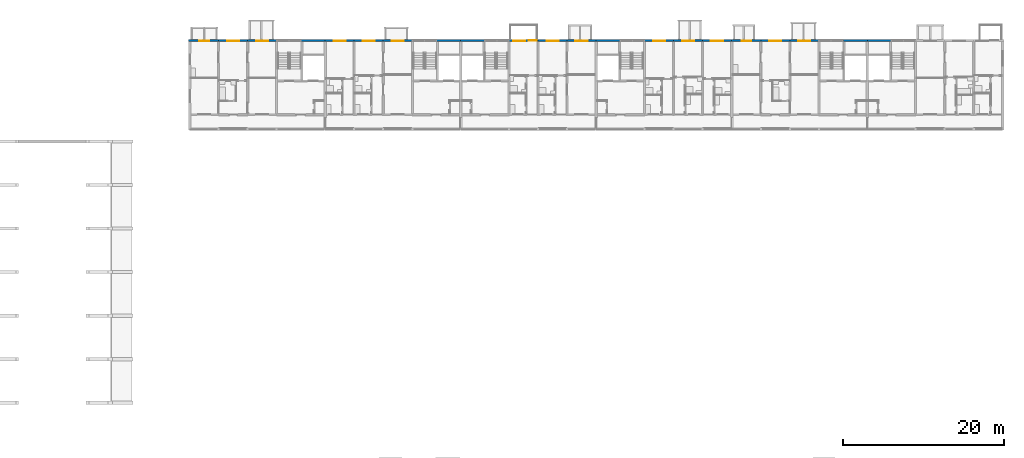
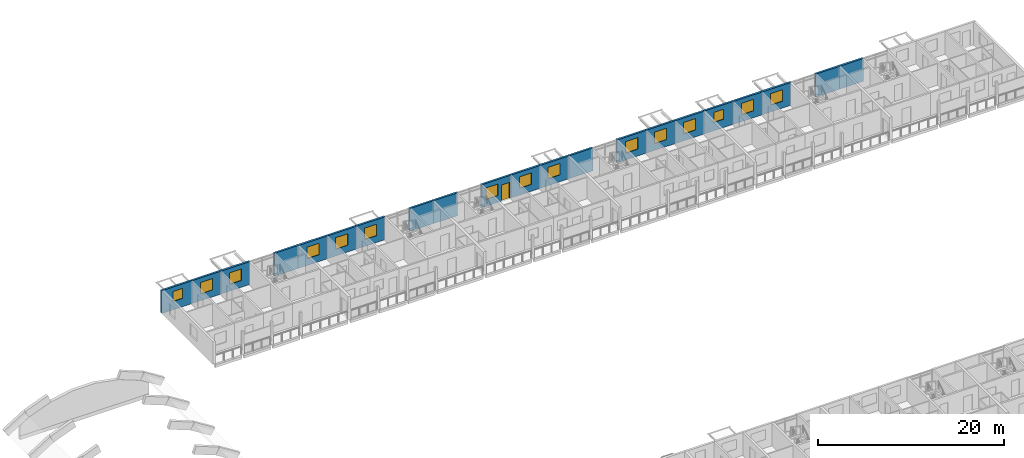
# One storey, part 58 of 99: 21 walls, 15 windows, 1 door, 16 openings.
"""IFC4 building model written with IfcOpenShell, lengths in metres."""

from ifc_helpers import new_model, si_unit, direction, frame, frame_2d, origin, place, context, subcontext, project, spatial, rectangle, extrude, material, layer, layer_set, type_object, element, fill, save


model = new_model("IFC4")

# Units and contexts
model_context = context("Model", 3, precision=1e-05, world=origin(), true_north=direction((0.0, 1.0)))
body_context = subcontext(model_context, "Body", "Model", "MODEL_VIEW")
ifc_project = project(units=[si_unit("LENGTHUNIT", "METRE"), si_unit("AREAUNIT", "SQUARE_METRE"), si_unit("VOLUMEUNIT", "CUBIC_METRE"), si_unit("PLANEANGLEUNIT", "RADIAN"), si_unit("MASSUNIT", "GRAM", prefix="KILO")], contexts=[model_context])

# Site, building, storey
site_placement = place(None, origin())
site = spatial("IfcSite", under=ifc_project, at=site_placement, CompositionType="ELEMENT")
building_placement = place(site_placement, origin())
building = spatial("IfcBuilding", under=site, at=building_placement, Name="Ridgestep Commons", CompositionType="ELEMENT")
storey_placement = place(building_placement, frame((0.0, 0.0, 15.0)))
storey = spatial("IfcBuildingStorey", under=building, at=storey_placement, Name="L05", CompositionType="ELEMENT", Elevation=15.0)

# Wall, opening, window
ifc_material_1 = material(Name="Precast concrete C40/50", Category="concrete")
ifc_layer = layer(ifc_material_1, 0.25)
ifc_layer_set = layer_set([ifc_layer], Name="North facade panel 250")
wall_type = type_object("IfcWallType", Name="North facade panel 250", PredefinedType="SOLIDWALL", material=ifc_layer_set)
wall_1_placement = place(storey_placement, frame((146.64990234375, 77.125, 0.0), z_axis=(0.0, 0.0, 1.0), x_axis=(1.0, 0.0, 0.0)))
wall_1 = element("IfcWall", 1, at=wall_1_placement, inside=storey, type_object=wall_type, Name="North panel C1T1 L05", PredefinedType="SOLIDWALL", context=body_context, shape_type="SweptSolid", body=[
    extrude(rectangle(XDim=3.75, YDim=0.25, at=frame_2d((1.875, 0.0))), origin(), (0.0, 0.0, 1.0), 3.0),
])
opening_1_placement = place(wall_1_placement, frame((1.375, 0.0, 1.10009765625)))
opening_1 = element("IfcOpeningElement", 2, at=opening_1_placement, cuts=wall_1, Name="Opening W08", PredefinedType="OPENING", context=body_context, shape_type="SweptSolid", body=[
    extrude(rectangle(XDim=1.199951171875, YDim=1.300048828125, at=frame_2d((0.60009765625, 0.64990234375))), frame((0.0, 0.135009765625, 0.0), z_axis=(0.0, -1.0, 0.0), x_axis=(1.0, 0.0, 0.0)), (0.0, 0.0, 1.0), 0.27001953125),
])
ifc_material_2 = material(Name="Aluminium 6063-T6 and glass", Category="aluminium")
window_type_1 = type_object("IfcWindowType", Name="Flat window 1200 x 1300", PartitioningType="SINGLE_PANEL", PredefinedType="WINDOW", material=ifc_material_2)
window_1_placement = place(opening_1_placement, origin())
window_1 = element("IfcWindow", 3, at=window_1_placement, inside=storey, type_object=window_type_1, Name="Window C1-05a 2", OverallHeight=1.300048828125, OverallWidth=1.199951171875, PartitioningType="SINGLE_PANEL", PredefinedType="WINDOW", context=body_context, shape_type="SweptSolid", body=[
    extrude(rectangle(XDim=1.199951171875, YDim=1.300048828125, at=frame_2d((0.60009765625, 0.64990234375))), frame((0.0, -0.02490234375, 0.0), z_axis=(0.0, -1.0, 0.0), x_axis=(1.0, 0.0, 0.0)), (0.0, 0.0, 1.0), 0.06005859375),
])
fill(opening_1, window_1)

wall_2_placement = place(storey_placement, frame((150.39990234375, 77.125, 0.0), z_axis=(0.0, 0.0, 1.0), x_axis=(1.0, 0.0, 0.0)))
wall_2 = element("IfcWall", 4, at=wall_2_placement, inside=storey, type_object=wall_type, Name="North panel C1T2 L05", PredefinedType="SOLIDWALL", context=body_context, shape_type="SweptSolid", body=[
    extrude(rectangle(XDim=3.60009765625, YDim=0.25, at=frame_2d((1.800048828125, 0.0))), origin(), (0.0, 0.0, 1.0), 3.0),
])
opening_2_placement = place(wall_2_placement, frame((1.050048828125, 0.0, 0.89990234375)))
opening_2 = element("IfcOpeningElement", 5, at=opening_2_placement, cuts=wall_2, Name="Opening W16", PredefinedType="OPENING", context=body_context, shape_type="SweptSolid", body=[
    extrude(rectangle(XDim=1.5, YDim=1.5, at=frame_2d((0.75, 0.75))), frame((0.0, 0.135009765625, 0.0), z_axis=(0.0, -1.0, 0.0), x_axis=(1.0, 0.0, 0.0)), (0.0, 0.0, 1.0), 0.27001953125),
])
ifc_material_3 = material(Name="Aluminium 6063-T6 and glass", Category="aluminium")
window_type_2 = type_object("IfcWindowType", Name="Flat window 1500 x 1500", PartitioningType="DOUBLE_PANEL_VERTICAL", PredefinedType="WINDOW", material=ifc_material_3)
window_2_placement = place(opening_2_placement, origin())
window_2 = element("IfcWindow", 6, at=window_2_placement, inside=storey, type_object=window_type_2, Name="Window C1-05a 5", OverallHeight=1.5, OverallWidth=1.5, PartitioningType="SINGLE_PANEL", PredefinedType="WINDOW", context=body_context, shape_type="SweptSolid", body=[
    extrude(rectangle(XDim=1.5, YDim=1.5, at=frame_2d((0.75, 0.75))), frame((0.0, -0.02490234375, 0.0), z_axis=(0.0, -1.0, 0.0), x_axis=(1.0, 0.0, 0.0)), (0.0, 0.0, 1.0), 0.06005859375),
])
fill(opening_2, window_2)

wall_3_placement = place(storey_placement, frame((154.0, 77.125, 0.0), z_axis=(0.0, 0.0, 1.0), x_axis=(1.0, 0.0, 0.0)))
wall_3 = element("IfcWall", 7, at=wall_3_placement, inside=storey, type_object=wall_type, Name="North panel C1T3 L05", PredefinedType="SOLIDWALL", context=body_context, shape_type="SweptSolid", body=[
    extrude(rectangle(XDim=3.60009765625, YDim=0.25, at=frame_2d((1.800048828125, 0.0))), origin(), (0.0, 0.0, 1.0), 3.0),
])
opening_3_placement = place(wall_3_placement, frame((1.03759765625, 0.0, 0.89990234375)))
opening_3 = element("IfcOpeningElement", 8, at=opening_3_placement, cuts=wall_3, Name="Opening W16", PredefinedType="OPENING", context=body_context, shape_type="SweptSolid", body=[
    extrude(rectangle(XDim=1.5, YDim=1.5, at=frame_2d((0.75, 0.75))), frame((0.0, 0.135009765625, 0.0), z_axis=(0.0, -1.0, 0.0), x_axis=(1.0, 0.0, 0.0)), (0.0, 0.0, 1.0), 0.27001953125),
])
window_3_placement = place(opening_3_placement, origin())
window_3 = element("IfcWindow", 9, at=window_3_placement, inside=storey, type_object=window_type_2, Name="Window C1-05a 4", OverallHeight=1.5, OverallWidth=1.5, PartitioningType="SINGLE_PANEL", PredefinedType="WINDOW", context=body_context, shape_type="SweptSolid", body=[
    extrude(rectangle(XDim=1.5, YDim=1.5, at=frame_2d((0.75, 0.75))), frame((0.0, -0.02490234375, 0.0), z_axis=(0.0, -1.0, 0.0), x_axis=(1.0, 0.0, 0.0)), (0.0, 0.0, 1.0), 0.06005859375),
])
fill(opening_3, window_3)

# Wall
wall_4_placement = place(storey_placement, frame((160.625, 77.125, 0.0), z_axis=(0.0, 0.0, 1.0), x_axis=(1.0, 0.0, 0.0)))
element("IfcWall", 10, at=wall_4_placement, inside=storey, type_object=wall_type, Name="North panel C1C L05", PredefinedType="SOLIDWALL", context=body_context, shape_type="SweptSolid", body=[
    extrude(rectangle(XDim=2.97509765625, YDim=0.25, at=frame_2d((1.487548828125, 0.0))), origin(), (0.0, 0.0, 1.0), 3.0),
])

# Wall, opening, window
wall_5_placement = place(storey_placement, frame((163.60009765625, 77.125, 0.0), z_axis=(0.0, 0.0, 1.0), x_axis=(1.0, 0.0, 0.0)))
wall_5 = element("IfcWall", 11, at=wall_5_placement, inside=storey, type_object=wall_type, Name="North panel C2T1 L05", PredefinedType="SOLIDWALL", context=body_context, shape_type="SweptSolid", body=[
    extrude(rectangle(XDim=3.599853515625, YDim=0.25, at=frame_2d((1.7998046875, 0.0))), origin(), (0.0, 0.0, 1.0), 3.0),
])
opening_4_placement = place(wall_5_placement, frame((1.074951171875, 0.0, 0.89990234375)))
opening_4 = element("IfcOpeningElement", 12, at=opening_4_placement, cuts=wall_5, Name="Opening W16", PredefinedType="OPENING", context=body_context, shape_type="SweptSolid", body=[
    extrude(rectangle(XDim=1.5, YDim=1.5, at=frame_2d((0.75, 0.75))), frame((0.0, 0.135009765625, 0.0), z_axis=(0.0, -1.0, 0.0), x_axis=(1.0, 0.0, 0.0)), (0.0, 0.0, 1.0), 0.27001953125),
])
window_4_placement = place(opening_4_placement, origin())
window_4 = element("IfcWindow", 13, at=window_4_placement, inside=storey, type_object=window_type_2, Name="Window C2-05a 2", OverallHeight=1.5, OverallWidth=1.5, PartitioningType="SINGLE_PANEL", PredefinedType="WINDOW", context=body_context, shape_type="SweptSolid", body=[
    extrude(rectangle(XDim=1.5, YDim=1.5, at=frame_2d((0.75, 0.75))), frame((0.0, -0.02490234375, 0.0), z_axis=(0.0, -1.0, 0.0), x_axis=(1.0, 0.0, 0.0)), (0.0, 0.0, 1.0), 0.06005859375),
])
fill(opening_4, window_4)

wall_6_placement = place(storey_placement, frame((167.199951171875, 77.125, 0.0), z_axis=(0.0, 0.0, 1.0), x_axis=(1.0, 0.0, 0.0)))
wall_6 = element("IfcWall", 14, at=wall_6_placement, inside=storey, type_object=wall_type, Name="North panel C2T2 L05", PredefinedType="SOLIDWALL", context=body_context, shape_type="SweptSolid", body=[
    extrude(rectangle(XDim=3.60009765625, YDim=0.25, at=frame_2d((1.800048828125, 0.0))), origin(), (0.0, 0.0, 1.0), 3.0),
])
opening_5_placement = place(wall_6_placement, frame((1.050048828125, 0.0, 0.89990234375)))
opening_5 = element("IfcOpeningElement", 15, at=opening_5_placement, cuts=wall_6, Name="Opening W16", PredefinedType="OPENING", context=body_context, shape_type="SweptSolid", body=[
    extrude(rectangle(XDim=1.5, YDim=1.5, at=frame_2d((0.75, 0.75))), frame((0.0, 0.135009765625, 0.0), z_axis=(0.0, -1.0, 0.0), x_axis=(1.0, 0.0, 0.0)), (0.0, 0.0, 1.0), 0.27001953125),
])
window_5_placement = place(opening_5_placement, origin())
window_5 = element("IfcWindow", 16, at=window_5_placement, inside=storey, type_object=window_type_2, Name="Window C2-05b 4", OverallHeight=1.5, OverallWidth=1.5, PartitioningType="SINGLE_PANEL", PredefinedType="WINDOW", context=body_context, shape_type="SweptSolid", body=[
    extrude(rectangle(XDim=1.5, YDim=1.5, at=frame_2d((0.75, 0.75))), frame((0.0, -0.02490234375, 0.0), z_axis=(0.0, -1.0, 0.0), x_axis=(1.0, 0.0, 0.0)), (0.0, 0.0, 1.0), 0.06005859375),
])
fill(opening_5, window_5)

wall_7_placement = place(storey_placement, frame((170.800048828125, 77.125, 0.0), z_axis=(0.0, 0.0, 1.0), x_axis=(1.0, 0.0, 0.0)))
wall_7 = element("IfcWall", 17, at=wall_7_placement, inside=storey, type_object=wall_type, Name="North panel C2T3 L05", PredefinedType="SOLIDWALL", context=body_context, shape_type="SweptSolid", body=[
    extrude(rectangle(XDim=3.599853515625, YDim=0.25, at=frame_2d((1.7998046875, 0.0))), origin(), (0.0, 0.0, 1.0), 3.0),
])
opening_6_placement = place(wall_7_placement, frame((1.03759765625, 0.0, 0.89990234375)))
opening_6 = element("IfcOpeningElement", 18, at=opening_6_placement, cuts=wall_7, Name="Opening W16", PredefinedType="OPENING", context=body_context, shape_type="SweptSolid", body=[
    extrude(rectangle(XDim=1.5, YDim=1.5, at=frame_2d((0.75, 0.75))), frame((0.0, 0.135009765625, 0.0), z_axis=(0.0, -1.0, 0.0), x_axis=(1.0, 0.0, 0.0)), (0.0, 0.0, 1.0), 0.27001953125),
])
window_6_placement = place(opening_6_placement, origin())
window_6 = element("IfcWindow", 19, at=window_6_placement, inside=storey, type_object=window_type_2, Name="Window C2-05b 2", OverallHeight=1.5, OverallWidth=1.5, PartitioningType="SINGLE_PANEL", PredefinedType="WINDOW", context=body_context, shape_type="SweptSolid", body=[
    extrude(rectangle(XDim=1.5, YDim=1.5, at=frame_2d((0.75, 0.75))), frame((0.0, -0.02490234375, 0.0), z_axis=(0.0, -1.0, 0.0), x_axis=(1.0, 0.0, 0.0)), (0.0, 0.0, 1.0), 0.06005859375),
])
fill(opening_6, window_6)

# Walls
wall_8_placement = place(storey_placement, frame((177.425048828125, 77.125, 0.0), z_axis=(0.0, 0.0, 1.0), x_axis=(1.0, 0.0, 0.0)))
element("IfcWall", 20, at=wall_8_placement, inside=storey, type_object=wall_type, Name="North panel C2C L05", PredefinedType="SOLIDWALL", context=body_context, shape_type="SweptSolid", body=[
    extrude(rectangle(XDim=2.974853515625, YDim=0.25, at=frame_2d((1.4873046875, 0.0))), origin(), (0.0, 0.0, 1.0), 3.0),
])
wall_9_placement = place(storey_placement, frame((180.39990234375, 77.125, 0.0), z_axis=(0.0, 0.0, 1.0), x_axis=(1.0, 0.0, 0.0)))
element("IfcWall", 21, at=wall_9_placement, inside=storey, type_object=wall_type, Name="North panel C3C L05", PredefinedType="SOLIDWALL", context=body_context, shape_type="SweptSolid", body=[
    extrude(rectangle(XDim=2.97509765625, YDim=0.25, at=frame_2d((1.487548828125, 0.0))), origin(), (0.0, 0.0, 1.0), 3.0),
])

# Wall, openings, door, window
wall_10_placement = place(storey_placement, frame((186.39990234375, 77.125, 0.0), z_axis=(0.0, 0.0, 1.0), x_axis=(1.0, 0.0, 0.0)))
wall_10 = element("IfcWall", 22, at=wall_10_placement, inside=storey, type_object=wall_type, Name="North panel C3T3 L05", PredefinedType="SOLIDWALL", context=body_context, shape_type="SweptSolid", body=[
    extrude(rectangle(XDim=3.60009765625, YDim=0.25, at=frame_2d((1.800048828125, 0.0))), origin(), (0.0, 0.0, 1.0), 3.0),
])
opening_7_placement = place(wall_10_placement, frame((0.487548828125, 0.0, 0.89990234375)))
opening_7 = element("IfcOpeningElement", 23, at=opening_7_placement, cuts=wall_10, Name="Opening W16", PredefinedType="OPENING", context=body_context, shape_type="SweptSolid", body=[
    extrude(rectangle(XDim=1.5, YDim=1.5, at=frame_2d((0.75, 0.75))), frame((0.0, 0.135009765625, 0.0), z_axis=(0.0, -1.0, 0.0), x_axis=(1.0, 0.0, 0.0)), (0.0, 0.0, 1.0), 0.27001953125),
])
opening_8_placement = place(wall_10_placement, frame((2.449951171875, 0.0, 0.0)))
opening_8 = element("IfcOpeningElement", 24, at=opening_8_placement, cuts=wall_10, Name="Opening C3-05b/5", PredefinedType="OPENING", context=body_context, shape_type="SweptSolid", body=[
    extrude(rectangle(XDim=1.0, YDim=2.10009765625, at=frame_2d((0.5, 1.050048828125))), frame((0.0, 0.135009765625, 0.0), z_axis=(0.0, -1.0, 0.0), x_axis=(1.0, 0.0, 0.0)), (0.0, 0.0, 1.0), 0.27001953125),
])
ifc_material_4 = material(Name="Aluminium and glass", Category="aluminium")
door_type = type_object("IfcDoorType", Name="Balcony door 1000 x 2100", OperationType="NOTDEFINED", PredefinedType="DOOR", material=ifc_material_4)
door_placement = place(opening_8_placement, origin())
door = element("IfcDoor", 25, at=door_placement, inside=storey, type_object=door_type, Name="Balcony door C3-05b/5", OperationType="SINGLE_SWING_LEFT", OverallHeight=2.10009765625, OverallWidth=1.0, PredefinedType="DOOR", context=body_context, shape_type="SweptSolid", body=[
    extrude(rectangle(XDim=1.0, YDim=2.10009765625, at=frame_2d((0.5, 1.050048828125))), frame((0.0, 0.02490234375, 0.0), z_axis=(0.0, -1.0, 0.0), x_axis=(1.0, 0.0, 0.0)), (0.0, 0.0, 1.0), 0.050048828125),
])
fill(opening_8, door)
window_7_placement = place(opening_7_placement, origin())
window_7 = element("IfcWindow", 26, at=window_7_placement, inside=storey, type_object=window_type_2, Name="Window C3-05b 2", OverallHeight=1.5, OverallWidth=1.5, PartitioningType="SINGLE_PANEL", PredefinedType="WINDOW", context=body_context, shape_type="SweptSolid", body=[
    extrude(rectangle(XDim=1.5, YDim=1.5, at=frame_2d((0.75, 0.75))), frame((0.0, -0.02490234375, 0.0), z_axis=(0.0, -1.0, 0.0), x_axis=(1.0, 0.0, 0.0)), (0.0, 0.0, 1.0), 0.06005859375),
])
fill(opening_7, window_7)

# Wall, opening, window
wall_11_placement = place(storey_placement, frame((190.0, 77.125, 0.0), z_axis=(0.0, 0.0, 1.0), x_axis=(1.0, 0.0, 0.0)))
wall_11 = element("IfcWall", 27, at=wall_11_placement, inside=storey, type_object=wall_type, Name="North panel C3T2 L05", PredefinedType="SOLIDWALL", context=body_context, shape_type="SweptSolid", body=[
    extrude(rectangle(XDim=3.60009765625, YDim=0.25, at=frame_2d((1.800048828125, 0.0))), origin(), (0.0, 0.0, 1.0), 3.0),
])
opening_9_placement = place(wall_11_placement, frame((1.050048828125, 0.0, 0.89990234375)))
opening_9 = element("IfcOpeningElement", 28, at=opening_9_placement, cuts=wall_11, Name="Opening W16", PredefinedType="OPENING", context=body_context, shape_type="SweptSolid", body=[
    extrude(rectangle(XDim=1.5, YDim=1.5, at=frame_2d((0.75, 0.75))), frame((0.0, 0.135009765625, 0.0), z_axis=(0.0, -1.0, 0.0), x_axis=(1.0, 0.0, 0.0)), (0.0, 0.0, 1.0), 0.27001953125),
])
window_8_placement = place(opening_9_placement, origin())
window_8 = element("IfcWindow", 29, at=window_8_placement, inside=storey, type_object=window_type_2, Name="Window C3-05a 4", OverallHeight=1.5, OverallWidth=1.5, PartitioningType="SINGLE_PANEL", PredefinedType="WINDOW", context=body_context, shape_type="SweptSolid", body=[
    extrude(rectangle(XDim=1.5, YDim=1.5, at=frame_2d((0.75, 0.75))), frame((0.0, -0.02490234375, 0.0), z_axis=(0.0, -1.0, 0.0), x_axis=(1.0, 0.0, 0.0)), (0.0, 0.0, 1.0), 0.06005859375),
])
fill(opening_9, window_8)

wall_12_placement = place(storey_placement, frame((193.60009765625, 77.125, 0.0), z_axis=(0.0, 0.0, 1.0), x_axis=(1.0, 0.0, 0.0)))
wall_12 = element("IfcWall", 30, at=wall_12_placement, inside=storey, type_object=wall_type, Name="North panel C3T1 L05", PredefinedType="SOLIDWALL", context=body_context, shape_type="SweptSolid", body=[
    extrude(rectangle(XDim=3.599853515625, YDim=0.25, at=frame_2d((1.7998046875, 0.0))), origin(), (0.0, 0.0, 1.0), 3.0),
])
opening_10_placement = place(wall_12_placement, frame((1.02490234375, 0.0, 0.89990234375)))
opening_10 = element("IfcOpeningElement", 31, at=opening_10_placement, cuts=wall_12, Name="Opening W16", PredefinedType="OPENING", context=body_context, shape_type="SweptSolid", body=[
    extrude(rectangle(XDim=1.5, YDim=1.5, at=frame_2d((0.75, 0.75))), frame((0.0, 0.135009765625, 0.0), z_axis=(0.0, -1.0, 0.0), x_axis=(1.0, 0.0, 0.0)), (0.0, 0.0, 1.0), 0.27001953125),
])
window_9_placement = place(opening_10_placement, origin())
window_9 = element("IfcWindow", 32, at=window_9_placement, inside=storey, type_object=window_type_2, Name="Window C3-05a 2", OverallHeight=1.5, OverallWidth=1.5, PartitioningType="SINGLE_PANEL", PredefinedType="WINDOW", context=body_context, shape_type="SweptSolid", body=[
    extrude(rectangle(XDim=1.5, YDim=1.5, at=frame_2d((0.75, 0.75))), frame((0.0, -0.02490234375, 0.0), z_axis=(0.0, -1.0, 0.0), x_axis=(1.0, 0.0, 0.0)), (0.0, 0.0, 1.0), 0.06005859375),
])
fill(opening_10, window_9)

# Wall
wall_13_placement = place(storey_placement, frame((197.199951171875, 77.125, 0.0), z_axis=(0.0, 0.0, 1.0), x_axis=(1.0, 0.0, 0.0)))
element("IfcWall", 33, at=wall_13_placement, inside=storey, type_object=wall_type, Name="North panel C4C L05", PredefinedType="SOLIDWALL", context=body_context, shape_type="SweptSolid", body=[
    extrude(rectangle(XDim=2.97509765625, YDim=0.25, at=frame_2d((1.487548828125, 0.0))), origin(), (0.0, 0.0, 1.0), 3.0),
])

# Wall, opening, window
wall_14_placement = place(storey_placement, frame((203.199951171875, 77.125, 0.0), z_axis=(0.0, 0.0, 1.0), x_axis=(1.0, 0.0, 0.0)))
wall_14 = element("IfcWall", 34, at=wall_14_placement, inside=storey, type_object=wall_type, Name="North panel C4T3 L05", PredefinedType="SOLIDWALL", context=body_context, shape_type="SweptSolid", body=[
    extrude(rectangle(XDim=3.60009765625, YDim=0.25, at=frame_2d((1.800048828125, 0.0))), origin(), (0.0, 0.0, 1.0), 3.0),
])
opening_11_placement = place(wall_14_placement, frame((1.0625, 0.0, 0.89990234375)))
opening_11 = element("IfcOpeningElement", 35, at=opening_11_placement, cuts=wall_14, Name="Opening W16", PredefinedType="OPENING", context=body_context, shape_type="SweptSolid", body=[
    extrude(rectangle(XDim=1.5, YDim=1.5, at=frame_2d((0.75, 0.75))), frame((0.0, 0.135009765625, 0.0), z_axis=(0.0, -1.0, 0.0), x_axis=(1.0, 0.0, 0.0)), (0.0, 0.0, 1.0), 0.27001953125),
])
window_10_placement = place(opening_11_placement, origin())
window_10 = element("IfcWindow", 36, at=window_10_placement, inside=storey, type_object=window_type_2, Name="Window C4-05c 2", OverallHeight=1.5, OverallWidth=1.5, PartitioningType="SINGLE_PANEL", PredefinedType="WINDOW", context=body_context, shape_type="SweptSolid", body=[
    extrude(rectangle(XDim=1.5, YDim=1.5, at=frame_2d((0.75, 0.75))), frame((0.0, -0.02490234375, 0.0), z_axis=(0.0, -1.0, 0.0), x_axis=(1.0, 0.0, 0.0)), (0.0, 0.0, 1.0), 0.06005859375),
])
fill(opening_11, window_10)

wall_15_placement = place(storey_placement, frame((206.800048828125, 77.125, 0.0), z_axis=(0.0, 0.0, 1.0), x_axis=(1.0, 0.0, 0.0)))
wall_15 = element("IfcWall", 37, at=wall_15_placement, inside=storey, type_object=wall_type, Name="North panel C4T2 L05", PredefinedType="SOLIDWALL", context=body_context, shape_type="SweptSolid", body=[
    extrude(rectangle(XDim=3.599853515625, YDim=0.25, at=frame_2d((1.7998046875, 0.0))), origin(), (0.0, 0.0, 1.0), 3.0),
])
opening_12_placement = place(wall_15_placement, frame((1.050048828125, 0.0, 0.89990234375)))
opening_12 = element("IfcOpeningElement", 38, at=opening_12_placement, cuts=wall_15, Name="Opening W16", PredefinedType="OPENING", context=body_context, shape_type="SweptSolid", body=[
    extrude(rectangle(XDim=1.5, YDim=1.5, at=frame_2d((0.75, 0.75))), frame((0.0, 0.135009765625, 0.0), z_axis=(0.0, -1.0, 0.0), x_axis=(1.0, 0.0, 0.0)), (0.0, 0.0, 1.0), 0.27001953125),
])
window_11_placement = place(opening_12_placement, origin())
window_11 = element("IfcWindow", 39, at=window_11_placement, inside=storey, type_object=window_type_2, Name="Window C4-05b 2", OverallHeight=1.5, OverallWidth=1.5, PartitioningType="SINGLE_PANEL", PredefinedType="WINDOW", context=body_context, shape_type="SweptSolid", body=[
    extrude(rectangle(XDim=1.5, YDim=1.5, at=frame_2d((0.75, 0.75))), frame((0.0, -0.02490234375, 0.0), z_axis=(0.0, -1.0, 0.0), x_axis=(1.0, 0.0, 0.0)), (0.0, 0.0, 1.0), 0.06005859375),
])
fill(opening_12, window_11)

wall_16_placement = place(storey_placement, frame((210.39990234375, 77.125, 0.0), z_axis=(0.0, 0.0, 1.0), x_axis=(1.0, 0.0, 0.0)))
wall_16 = element("IfcWall", 40, at=wall_16_placement, inside=storey, type_object=wall_type, Name="North panel C4T1 L05", PredefinedType="SOLIDWALL", context=body_context, shape_type="SweptSolid", body=[
    extrude(rectangle(XDim=3.60009765625, YDim=0.25, at=frame_2d((1.800048828125, 0.0))), origin(), (0.0, 0.0, 1.0), 3.0),
])
opening_13_placement = place(wall_16_placement, frame((1.02490234375, 0.0, 0.89990234375)))
opening_13 = element("IfcOpeningElement", 41, at=opening_13_placement, cuts=wall_16, Name="Opening W16", PredefinedType="OPENING", context=body_context, shape_type="SweptSolid", body=[
    extrude(rectangle(XDim=1.5, YDim=1.5, at=frame_2d((0.75, 0.75))), frame((0.0, 0.135009765625, 0.0), z_axis=(0.0, -1.0, 0.0), x_axis=(1.0, 0.0, 0.0)), (0.0, 0.0, 1.0), 0.27001953125),
])
window_12_placement = place(opening_13_placement, origin())
window_12 = element("IfcWindow", 42, at=window_12_placement, inside=storey, type_object=window_type_2, Name="Window C4-05a 2", OverallHeight=1.5, OverallWidth=1.5, PartitioningType="SINGLE_PANEL", PredefinedType="WINDOW", context=body_context, shape_type="SweptSolid", body=[
    extrude(rectangle(XDim=1.5, YDim=1.5, at=frame_2d((0.75, 0.75))), frame((0.0, -0.02490234375, 0.0), z_axis=(0.0, -1.0, 0.0), x_axis=(1.0, 0.0, 0.0)), (0.0, 0.0, 1.0), 0.06005859375),
])
fill(opening_13, window_12)

wall_17_placement = place(storey_placement, frame((214.0, 77.125, 0.0), z_axis=(0.0, 0.0, 1.0), x_axis=(1.0, 0.0, 0.0)))
wall_17 = element("IfcWall", 43, at=wall_17_placement, inside=storey, type_object=wall_type, Name="North panel C5T1 L05", PredefinedType="SOLIDWALL", context=body_context, shape_type="SweptSolid", body=[
    extrude(rectangle(XDim=3.60009765625, YDim=0.25, at=frame_2d((1.800048828125, 0.0))), origin(), (0.0, 0.0, 1.0), 3.0),
])
opening_14_placement = place(wall_17_placement, frame((1.22509765625, 0.0, 1.10009765625)))
opening_14 = element("IfcOpeningElement", 44, at=opening_14_placement, cuts=wall_17, Name="Opening W08", PredefinedType="OPENING", context=body_context, shape_type="SweptSolid", body=[
    extrude(rectangle(XDim=1.199951171875, YDim=1.300048828125, at=frame_2d((0.60009765625, 0.64990234375))), frame((0.0, 0.135009765625, 0.0), z_axis=(0.0, -1.0, 0.0), x_axis=(1.0, 0.0, 0.0)), (0.0, 0.0, 1.0), 0.27001953125),
])
window_13_placement = place(opening_14_placement, origin())
window_13 = element("IfcWindow", 45, at=window_13_placement, inside=storey, type_object=window_type_1, Name="Window C5-05a 2", OverallHeight=1.300048828125, OverallWidth=1.199951171875, PartitioningType="SINGLE_PANEL", PredefinedType="WINDOW", context=body_context, shape_type="SweptSolid", body=[
    extrude(rectangle(XDim=1.199951171875, YDim=1.300048828125, at=frame_2d((0.60009765625, 0.64990234375))), frame((0.0, -0.02490234375, 0.0), z_axis=(0.0, -1.0, 0.0), x_axis=(1.0, 0.0, 0.0)), (0.0, 0.0, 1.0), 0.06005859375),
])
fill(opening_14, window_13)

wall_18_placement = place(storey_placement, frame((217.60009765625, 77.125, 0.0), z_axis=(0.0, 0.0, 1.0), x_axis=(1.0, 0.0, 0.0)))
wall_18 = element("IfcWall", 46, at=wall_18_placement, inside=storey, type_object=wall_type, Name="North panel C5T2 L05", PredefinedType="SOLIDWALL", context=body_context, shape_type="SweptSolid", body=[
    extrude(rectangle(XDim=3.599853515625, YDim=0.25, at=frame_2d((1.7998046875, 0.0))), origin(), (0.0, 0.0, 1.0), 3.0),
])
opening_15_placement = place(wall_18_placement, frame((1.050048828125, 0.0, 0.89990234375)))
opening_15 = element("IfcOpeningElement", 47, at=opening_15_placement, cuts=wall_18, Name="Opening W16", PredefinedType="OPENING", context=body_context, shape_type="SweptSolid", body=[
    extrude(rectangle(XDim=1.5, YDim=1.5, at=frame_2d((0.75, 0.75))), frame((0.0, 0.135009765625, 0.0), z_axis=(0.0, -1.0, 0.0), x_axis=(1.0, 0.0, 0.0)), (0.0, 0.0, 1.0), 0.27001953125),
])
window_14_placement = place(opening_15_placement, origin())
window_14 = element("IfcWindow", 48, at=window_14_placement, inside=storey, type_object=window_type_2, Name="Window C5-05a 5", OverallHeight=1.5, OverallWidth=1.5, PartitioningType="SINGLE_PANEL", PredefinedType="WINDOW", context=body_context, shape_type="SweptSolid", body=[
    extrude(rectangle(XDim=1.5, YDim=1.5, at=frame_2d((0.75, 0.75))), frame((0.0, -0.02490234375, 0.0), z_axis=(0.0, -1.0, 0.0), x_axis=(1.0, 0.0, 0.0)), (0.0, 0.0, 1.0), 0.06005859375),
])
fill(opening_15, window_14)

wall_19_placement = place(storey_placement, frame((221.199951171875, 77.125, 0.0), z_axis=(0.0, 0.0, 1.0), x_axis=(1.0, 0.0, 0.0)))
wall_19 = element("IfcWall", 49, at=wall_19_placement, inside=storey, type_object=wall_type, Name="North panel C5T3 L05", PredefinedType="SOLIDWALL", context=body_context, shape_type="SweptSolid", body=[
    extrude(rectangle(XDim=3.60009765625, YDim=0.25, at=frame_2d((1.800048828125, 0.0))), origin(), (0.0, 0.0, 1.0), 3.0),
])
opening_16_placement = place(wall_19_placement, frame((1.03759765625, 0.0, 0.89990234375)))
opening_16 = element("IfcOpeningElement", 50, at=opening_16_placement, cuts=wall_19, Name="Opening W16", PredefinedType="OPENING", context=body_context, shape_type="SweptSolid", body=[
    extrude(rectangle(XDim=1.5, YDim=1.5, at=frame_2d((0.75, 0.75))), frame((0.0, 0.135009765625, 0.0), z_axis=(0.0, -1.0, 0.0), x_axis=(1.0, 0.0, 0.0)), (0.0, 0.0, 1.0), 0.27001953125),
])
window_15_placement = place(opening_16_placement, origin())
window_15 = element("IfcWindow", 51, at=window_15_placement, inside=storey, type_object=window_type_2, Name="Window C5-05a 4", OverallHeight=1.5, OverallWidth=1.5, PartitioningType="SINGLE_PANEL", PredefinedType="WINDOW", context=body_context, shape_type="SweptSolid", body=[
    extrude(rectangle(XDim=1.5, YDim=1.5, at=frame_2d((0.75, 0.75))), frame((0.0, -0.02490234375, 0.0), z_axis=(0.0, -1.0, 0.0), x_axis=(1.0, 0.0, 0.0)), (0.0, 0.0, 1.0), 0.06005859375),
])
fill(opening_16, window_15)

# Walls
wall_20_placement = place(storey_placement, frame((227.824951171875, 77.125, 0.0), z_axis=(0.0, 0.0, 1.0), x_axis=(1.0, 0.0, 0.0)))
element("IfcWall", 52, at=wall_20_placement, inside=storey, type_object=wall_type, Name="North panel C5C L05", PredefinedType="SOLIDWALL", context=body_context, shape_type="SweptSolid", body=[
    extrude(rectangle(XDim=2.97509765625, YDim=0.25, at=frame_2d((1.487548828125, 0.0))), origin(), (0.0, 0.0, 1.0), 3.0),
])
wall_21_placement = place(storey_placement, frame((230.800048828125, 77.125, 0.0), z_axis=(0.0, 0.0, 1.0), x_axis=(1.0, 0.0, 0.0)))
element("IfcWall", 53, at=wall_21_placement, inside=storey, type_object=wall_type, Name="North panel C6C L05", PredefinedType="SOLIDWALL", context=body_context, shape_type="SweptSolid", body=[
    extrude(rectangle(XDim=2.974853515625, YDim=0.25, at=frame_2d((1.4873046875, 0.0))), origin(), (0.0, 0.0, 1.0), 3.0),
])

save(model, "model.ifc")
